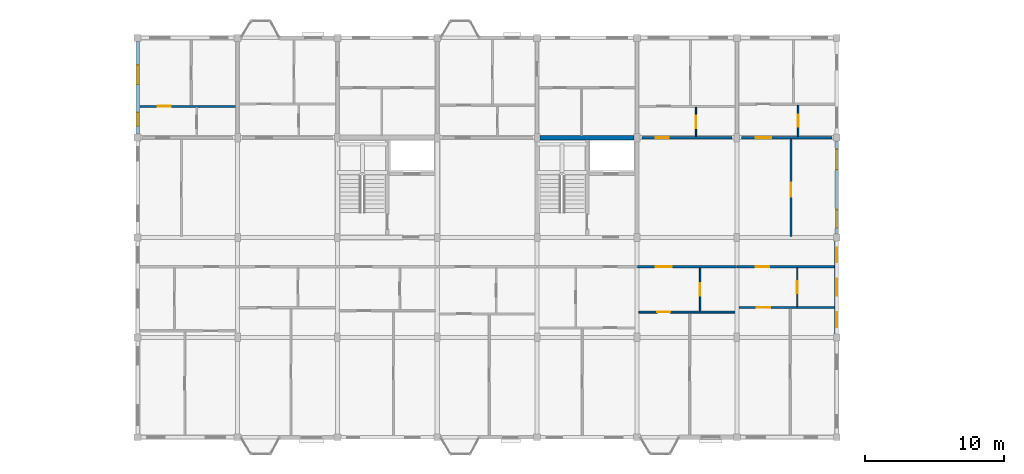
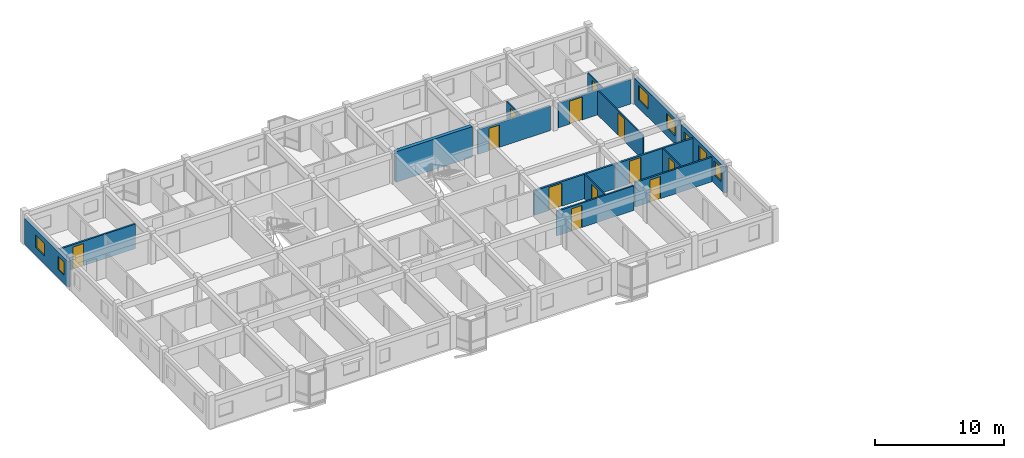
# One storey, part 58 of 65: 16 walls, 12 doors, 7 windows, 19 openings.
"""IFC4 building model written with IfcOpenShell, lengths in metres."""

from ifc_helpers import new_model, si_unit, direction, frame, frame_2d, origin, place, context, subcontext, project, spatial, rectangle, extrude, material, layer, layer_set, type_object, element, fill, save


model = new_model("IFC4")

# Units and contexts
model_context = context("Model", 3, precision=1e-05, world=origin(), true_north=direction((0.0, 1.0)))
body_context = subcontext(model_context, "Body", "Model", "MODEL_VIEW")
ifc_project = project(units=[si_unit("LENGTHUNIT", "METRE"), si_unit("AREAUNIT", "SQUARE_METRE"), si_unit("VOLUMEUNIT", "CUBIC_METRE"), si_unit("PLANEANGLEUNIT", "RADIAN"), si_unit("MASSUNIT", "GRAM", prefix="KILO"), si_unit("THERMODYNAMICTEMPERATUREUNIT", "KELVIN"), si_unit("POWERUNIT", "WATT")], contexts=[model_context])

# Site, building, storey
site_placement = place(None, origin())
site = spatial("IfcSite", under=ifc_project, at=site_placement, CompositionType="ELEMENT")
building_placement = place(site_placement, origin())
building = spatial("IfcBuilding", under=site, at=building_placement, Name="Tavuni Mirador Residences", CompositionType="ELEMENT")
storey_placement = place(building_placement, frame((0.0, 0.0, 29.699951171875)))
storey = spatial("IfcBuildingStorey", under=building, at=storey_placement, Name="L09", CompositionType="ELEMENT", Elevation=29.699951171875)

# Wall
ifc_material_1 = material(Name="Precast concrete C40/50", Category="concrete")
ifc_layer_1 = layer(ifc_material_1, 0.320068359375, Name="Precast concrete C40/50", Category="concrete")
ifc_layer_set_1 = layer_set([ifc_layer_1], Name="Precast concrete C40/50")
wall_type_1 = type_object("IfcWallType", Name="WT-COR320", PredefinedType="SHEAR", material=ifc_layer_set_1)
wall_1_placement = place(storey_placement, frame((39.800048828125, 165.60009765625, 0.0), z_axis=(0.0, 0.0, 1.0), x_axis=(1.0, 0.0, 0.0)))
element("IfcWall", 1, at=wall_1_placement, inside=storey, type_object=wall_type_1, Name="CWALL-C6-L09-N", PredefinedType="SHEAR", context=body_context, shape_type="SweptSolid", body=[
    extrude(rectangle(XDim=6.800048828125, YDim=0.320068359375, at=frame_2d((3.39990234375, 0.0))), origin(), (0.0, 0.0, 1.0), 2.885009765625),
])

# Wall, opening, door
ifc_layer_2 = layer(ifc_material_1, 0.1650390625, Name="Precast concrete C40/50", Category="concrete")
ifc_layer_set_2 = layer_set([ifc_layer_2], Name="Precast concrete C40/50")
wall_type_2 = type_object("IfcWallType", Name="WT-CORR165", PredefinedType="PARTITIONING", material=ifc_layer_set_2)
wall_2_placement = place(storey_placement, frame((46.820068359375, 156.300048828125, 0.0), z_axis=(0.0, 0.0, 1.0), x_axis=(1.0, 0.0, 0.0)))
wall_2 = element("IfcWall", 2, at=wall_2_placement, inside=storey, type_object=wall_type_2, Name="CORW-BLK-C-L09-0-05", PredefinedType="PARTITIONING", context=body_context, shape_type="SweptSolid", body=[
    extrude(rectangle(XDim=7.159912109375, YDim=0.1650390625, at=frame_2d((3.580078125, 0.0))), origin(), (0.0, 0.0, 1.0), 2.320068359375),
])
opening_1_placement = place(wall_2_placement, frame((1.330078125, 0.0, 0.0)))
opening_1 = element("IfcOpeningElement", 3, at=opening_1_placement, cuts=wall_2, Name="Opening D-20", PredefinedType="OPENING", context=body_context, shape_type="SweptSolid", body=[
    extrude(rectangle(XDim=1.139892578125, YDim=2.179931640625, at=frame_2d((0.56982421875, 1.08984375))), frame((0.0, 0.092529296875, 0.0), z_axis=(0.0, -1.0, 0.0), x_axis=(1.0, 0.0, 0.0)), (0.0, 0.0, 1.0), 0.18505859375),
])
ifc_material_2 = material(Name="Solid core iroko timber", Category="wood")
door_type_1 = type_object("IfcDoorType", Name="DT-FD60-1140", OperationType="NOTDEFINED", PredefinedType="DOOR", material=ifc_material_2)
door_1_placement = place(opening_1_placement, origin())
door_1 = element("IfcDoor", 4, at=door_1_placement, inside=storey, type_object=door_type_1, Name="DR-2756", OperationType="SINGLE_SWING_LEFT", OverallHeight=2.179931640625, OverallWidth=1.139892578125, PredefinedType="DOOR", context=body_context, shape_type="SweptSolid", body=[
    extrude(rectangle(XDim=1.139892578125, YDim=2.179931640625, at=frame_2d((0.56982421875, 1.08984375))), frame((0.0, 0.02490234375, 0.0), z_axis=(0.0, -1.0, 0.0), x_axis=(1.0, 0.0, 0.0)), (0.0, 0.0, 1.0), 0.050048828125),
])
fill(opening_1, door_1)

wall_3_placement = place(storey_placement, frame((54.02001953125, 156.300048828125, 0.0), z_axis=(0.0, 0.0, 1.0), x_axis=(1.0, 0.0, 0.0)))
wall_3 = element("IfcWall", 5, at=wall_3_placement, inside=storey, type_object=wall_type_2, Name="CORW-BLK-C-L09-0-06", PredefinedType="PARTITIONING", context=body_context, shape_type="SweptSolid", body=[
    extrude(rectangle(XDim=7.0048828125, YDim=0.1650390625, at=frame_2d((3.50244140625, 0.0))), origin(), (0.0, 0.0, 1.0), 2.320068359375),
])
opening_2_placement = place(wall_3_placement, frame((1.330078125, 0.0, 0.0)))
opening_2 = element("IfcOpeningElement", 6, at=opening_2_placement, cuts=wall_3, Name="Opening D-03", PredefinedType="OPENING", context=body_context, shape_type="SweptSolid", body=[
    extrude(rectangle(XDim=1.0, YDim=2.14990234375, at=frame_2d((0.5, 1.074951171875))), frame((0.0, 0.092529296875, 0.0), z_axis=(0.0, -1.0, 0.0), x_axis=(1.0, 0.0, 0.0)), (0.0, 0.0, 1.0), 0.18505859375),
])
door_type_2 = type_object("IfcDoorType", Name="DT-FD60-1000", OperationType="NOTDEFINED", PredefinedType="DOOR", material=ifc_material_2)
door_2_placement = place(opening_2_placement, origin())
door_2 = element("IfcDoor", 7, at=door_2_placement, inside=storey, type_object=door_type_2, Name="DR-2757", OperationType="SINGLE_SWING_RIGHT", OverallHeight=2.14990234375, OverallWidth=1.0, PredefinedType="DOOR", context=body_context, shape_type="SweptSolid", body=[
    extrude(rectangle(XDim=1.0, YDim=2.14990234375, at=frame_2d((0.5, 1.074951171875))), frame((0.0, 0.02490234375, 0.0), z_axis=(0.0, -1.0, 0.0), x_axis=(1.0, 0.0, 0.0)), (0.0, 0.0, 1.0), 0.050048828125),
])
fill(opening_2, door_2)

wall_4_placement = place(storey_placement, frame((47.14990234375, 165.60009765625, 0.0), z_axis=(0.0, 0.0, 1.0), x_axis=(1.0, 0.0, 0.0)))
wall_4 = element("IfcWall", 8, at=wall_4_placement, inside=storey, type_object=wall_type_2, Name="CORW-BLK-C-L09-1-05", PredefinedType="PARTITIONING", context=body_context, shape_type="SweptSolid", body=[
    extrude(rectangle(XDim=6.5, YDim=0.1650390625, at=frame_2d((3.25, 0.0))), origin(), (0.0, 0.0, 1.0), 2.320068359375),
])
opening_3_placement = place(wall_4_placement, frame((1.0, 0.0, 0.0)))
opening_3 = element("IfcOpeningElement", 9, at=opening_3_placement, cuts=wall_4, Name="Opening D-19", PredefinedType="OPENING", context=body_context, shape_type="SweptSolid", body=[
    extrude(rectangle(XDim=0.93994140625, YDim=2.1201171875, at=frame_2d((0.469970703125, 1.06005859375))), frame((0.0, 0.092529296875, 0.0), z_axis=(0.0, -1.0, 0.0), x_axis=(1.0, 0.0, 0.0)), (0.0, 0.0, 1.0), 0.18505859375),
])
door_type_3 = type_object("IfcDoorType", Name="DT-FD60-940", OperationType="NOTDEFINED", PredefinedType="DOOR", material=ifc_material_2)
door_3_placement = place(opening_3_placement, origin())
door_3 = element("IfcDoor", 10, at=door_3_placement, inside=storey, type_object=door_type_3, Name="DR-2761", OperationType="SINGLE_SWING_RIGHT", OverallHeight=2.1201171875, OverallWidth=0.93994140625, PredefinedType="DOOR", context=body_context, shape_type="SweptSolid", body=[
    extrude(rectangle(XDim=0.93994140625, YDim=2.1201171875, at=frame_2d((0.469970703125, 1.06005859375))), frame((0.0, 0.02490234375, 0.0), z_axis=(0.0, -1.0, 0.0), x_axis=(1.0, 0.0, 0.0)), (0.0, 0.0, 1.0), 0.050048828125),
])
fill(opening_3, door_3)

wall_5_placement = place(storey_placement, frame((54.35009765625, 165.60009765625, 0.0), z_axis=(0.0, 0.0, 1.0), x_axis=(1.0, 0.0, 0.0)))
wall_5 = element("IfcWall", 11, at=wall_5_placement, inside=storey, type_object=wall_type_2, Name="CORW-BLK-C-L09-1-06", PredefinedType="PARTITIONING", context=body_context, shape_type="SweptSolid", body=[
    extrude(rectangle(XDim=6.5, YDim=0.1650390625, at=frame_2d((3.25, 0.0))), origin(), (0.0, 0.0, 1.0), 2.320068359375),
])
opening_4_placement = place(wall_5_placement, frame((1.0, 0.0, 0.0)))
opening_4 = element("IfcOpeningElement", 12, at=opening_4_placement, cuts=wall_5, Name="Opening D-20", PredefinedType="OPENING", context=body_context, shape_type="SweptSolid", body=[
    extrude(rectangle(XDim=1.139892578125, YDim=2.179931640625, at=frame_2d((0.56982421875, 1.08984375))), frame((0.0, 0.092529296875, 0.0), z_axis=(0.0, -1.0, 0.0), x_axis=(1.0, 0.0, 0.0)), (0.0, 0.0, 1.0), 0.18505859375),
])
door_4_placement = place(opening_4_placement, origin())
door_4 = element("IfcDoor", 13, at=door_4_placement, inside=storey, type_object=door_type_1, Name="DR-2762", OperationType="SINGLE_SWING_LEFT", OverallHeight=2.179931640625, OverallWidth=1.139892578125, PredefinedType="DOOR", context=body_context, shape_type="SweptSolid", body=[
    extrude(rectangle(XDim=1.139892578125, YDim=2.179931640625, at=frame_2d((0.56982421875, 1.08984375))), frame((0.0, 0.02490234375, 0.0), z_axis=(0.0, -1.0, 0.0), x_axis=(1.0, 0.0, 0.0)), (0.0, 0.0, 1.0), 0.050048828125),
])
fill(opening_4, door_4)

# Wall, openings, windows
ifc_material_3 = material(Name="Sgraffito lime-rendered precast concrete C40/50", Category="concrete")
ifc_layer_3 = layer(ifc_material_3, 0.2548828125, Name="Sgraffito lime-rendered precast concrete C40/50", Category="concrete")
ifc_layer_set_3 = layer_set([ifc_layer_3], Name="Sgraffito lime-rendered precast concrete C40/50")
wall_type_3 = type_object("IfcWallType", Name="WT-EXT-PC255", PredefinedType="SOLIDWALL", material=ifc_layer_set_3)
wall_6_placement = place(storey_placement, frame((10.800048828125, 172.550048828125, 0.0), z_axis=(0.0, 0.0, 1.0), x_axis=(0.0, -1.0, 0.0)))
wall_6 = element("IfcWall", 14, at=wall_6_placement, inside=storey, type_object=wall_type_3, Name="EW-BLK-C-L09-W03", PredefinedType="SOLIDWALL", context=body_context, shape_type="SweptSolid", body=[
    extrude(rectangle(XDim=6.699951171875, YDim=0.2548828125, at=frame_2d((3.35009765625, 0.0))), origin(), (0.0, 0.0, 1.0), 2.455078125),
])
opening_5_placement = place(wall_6_placement, frame((1.715087890625, 0.0, 0.780029296875)))
opening_5 = element("IfcOpeningElement", 15, at=opening_5_placement, cuts=wall_6, Name="Opening WN-08", PredefinedType="OPENING", context=body_context, shape_type="SweptSolid", body=[
    extrude(rectangle(XDim=1.39990234375, YDim=1.14990234375, at=frame_2d((0.699951171875, 0.574951171875))), frame((0.0, 0.137451171875, 0.0), z_axis=(0.0, -1.0, 0.0), x_axis=(1.0, 0.0, 0.0)), (0.0, 0.0, 1.0), 0.27490234375),
])
opening_6_placement = place(wall_6_placement, frame((5.14501953125, 0.0, 0.780029296875)))
opening_6 = element("IfcOpeningElement", 16, at=opening_6_placement, cuts=wall_6, Name="Opening WN-10", PredefinedType="OPENING", context=body_context, shape_type="SweptSolid", body=[
    extrude(rectangle(XDim=0.9599609375, YDim=1.260009765625, at=frame_2d((0.47998046875, 0.6298828125))), frame((0.0, 0.137451171875, 0.0), z_axis=(0.0, -1.0, 0.0), x_axis=(1.0, 0.0, 0.0)), (0.0, 0.0, 1.0), 0.27490234375),
])
ifc_material_4 = material(Name="Laminated solar-control glass", Category="glass")
window_type_1 = type_object("IfcWindowType", Name="WNT-08", PartitioningType="SINGLE_PANEL", PredefinedType="WINDOW", material=ifc_material_4)
window_1_placement = place(opening_5_placement, origin())
window_1 = element("IfcWindow", 17, at=window_1_placement, inside=storey, type_object=window_type_1, Name="WIN-1258", OverallHeight=1.14990234375, OverallWidth=1.39990234375, PartitioningType="SINGLE_PANEL", PredefinedType="WINDOW", context=body_context, shape_type="SweptSolid", body=[
    extrude(rectangle(XDim=1.39990234375, YDim=1.14990234375, at=frame_2d((0.699951171875, 0.574951171875))), frame((0.0, 0.030029296875, 0.0), z_axis=(0.0, -1.0, 0.0), x_axis=(1.0, 0.0, 0.0)), (0.0, 0.0, 1.0), 0.06005859375),
])
fill(opening_5, window_1)
window_type_2 = type_object("IfcWindowType", Name="WNT-10", PartitioningType="SINGLE_PANEL", PredefinedType="WINDOW", material=ifc_material_4)
window_2_placement = place(opening_6_placement, origin())
window_2 = element("IfcWindow", 18, at=window_2_placement, inside=storey, type_object=window_type_2, Name="WIN-1259", OverallHeight=1.260009765625, OverallWidth=0.9599609375, PartitioningType="SINGLE_PANEL", PredefinedType="WINDOW", context=body_context, shape_type="SweptSolid", body=[
    extrude(rectangle(XDim=0.9599609375, YDim=1.260009765625, at=frame_2d((0.47998046875, 0.6298828125))), frame((0.0, 0.030029296875, 0.0), z_axis=(0.0, -1.0, 0.0), x_axis=(1.0, 0.0, 0.0)), (0.0, 0.0, 1.0), 0.06005859375),
])
fill(opening_6, window_2)

ifc_layer_4 = layer(ifc_material_3, 0.27490234375, Name="Sgraffito lime-rendered precast concrete C40/50", Category="concrete")
ifc_layer_set_4 = layer_set([ifc_layer_4], Name="Sgraffito lime-rendered precast concrete C40/50")
wall_type_4 = type_object("IfcWallType", Name="WT-EXT-PC275", PredefinedType="SOLIDWALL", material=ifc_layer_set_4)
wall_7_placement = place(storey_placement, frame((61.199951171875, 158.64990234375, 0.0), z_axis=(0.0, 0.0, 1.0), x_axis=(0.0, 1.0, 0.0)))
wall_7 = element("IfcWall", 19, at=wall_7_placement, inside=storey, type_object=wall_type_4, Name="EW-BLK-C-L09-E02", PredefinedType="SOLIDWALL", context=body_context, shape_type="SweptSolid", body=[
    extrude(rectangle(XDim=6.7001953125, YDim=0.27490234375, at=frame_2d((3.35009765625, 0.0))), origin(), (0.0, 0.0, 1.0), 2.455078125),
])
opening_7_placement = place(wall_7_placement, frame((0.449951171875, 0.0, 0.780029296875)))
opening_7 = element("IfcOpeningElement", 20, at=opening_7_placement, cuts=wall_7, Name="Opening WN-22", PredefinedType="OPENING", context=body_context, shape_type="SweptSolid", body=[
    extrude(rectangle(XDim=1.300048828125, YDim=1.360107421875, at=frame_2d((0.64990234375, 0.68017578125))), frame((0.0, 0.1474609375, 0.0), z_axis=(0.0, -1.0, 0.0), x_axis=(1.0, 0.0, 0.0)), (0.0, 0.0, 1.0), 0.294921875),
])
opening_8_placement = place(wall_7_placement, frame((4.64990234375, 0.0, 0.780029296875)))
opening_8 = element("IfcOpeningElement", 21, at=opening_8_placement, cuts=wall_7, Name="Opening WN-24", PredefinedType="OPENING", context=body_context, shape_type="SweptSolid", body=[
    extrude(rectangle(XDim=1.4599609375, YDim=1.360107421875, at=frame_2d((0.72998046875, 0.68017578125))), frame((0.0, 0.1474609375, 0.0), z_axis=(0.0, -1.0, 0.0), x_axis=(1.0, 0.0, 0.0)), (0.0, 0.0, 1.0), 0.294921875),
])
window_type_3 = type_object("IfcWindowType", Name="WNT-22", PartitioningType="SINGLE_PANEL", PredefinedType="WINDOW", material=ifc_material_4)
window_3_placement = place(opening_7_placement, origin())
window_3 = element("IfcWindow", 22, at=window_3_placement, inside=storey, type_object=window_type_3, Name="WIN-1242", OverallHeight=1.360107421875, OverallWidth=1.300048828125, PartitioningType="SINGLE_PANEL", PredefinedType="WINDOW", context=body_context, shape_type="SweptSolid", body=[
    extrude(rectangle(XDim=1.300048828125, YDim=1.360107421875, at=frame_2d((0.64990234375, 0.68017578125))), frame((0.0, 0.030029296875, 0.0), z_axis=(0.0, -1.0, 0.0), x_axis=(1.0, 0.0, 0.0)), (0.0, 0.0, 1.0), 0.06005859375),
])
fill(opening_7, window_3)
window_type_4 = type_object("IfcWindowType", Name="WNT-24", PartitioningType="SINGLE_PANEL", PredefinedType="WINDOW", material=ifc_material_4)
window_4_placement = place(opening_8_placement, origin())
window_4 = element("IfcWindow", 23, at=window_4_placement, inside=storey, type_object=window_type_4, Name="WIN-1243", OverallHeight=1.360107421875, OverallWidth=1.4599609375, PartitioningType="SINGLE_PANEL", PredefinedType="WINDOW", context=body_context, shape_type="SweptSolid", body=[
    extrude(rectangle(XDim=1.4599609375, YDim=1.360107421875, at=frame_2d((0.72998046875, 0.68017578125))), frame((0.0, 0.030029296875, 0.0), z_axis=(0.0, -1.0, 0.0), x_axis=(1.0, 0.0, 0.0)), (0.0, 0.0, 1.0), 0.06005859375),
])
fill(opening_8, window_4)

ifc_layer_5 = layer(ifc_material_3, 0.2900390625, Name="Sgraffito lime-rendered precast concrete C40/50", Category="concrete")
ifc_layer_set_5 = layer_set([ifc_layer_5], Name="Sgraffito lime-rendered precast concrete C40/50")
wall_type_5 = type_object("IfcWallType", Name="WT-EXT-PC290", PredefinedType="SOLIDWALL", material=ifc_layer_set_5)
wall_8_placement = place(storey_placement, frame((61.199951171875, 151.449951171875, 0.0), z_axis=(0.0, 0.0, 1.0), x_axis=(0.0, 1.0, 0.0)))
wall_8 = element("IfcWall", 24, at=wall_8_placement, inside=storey, type_object=wall_type_5, Name="EW-BLK-C-L09-E01", PredefinedType="SOLIDWALL", context=body_context, shape_type="SweptSolid", body=[
    extrude(rectangle(XDim=6.699951171875, YDim=0.2900390625, at=frame_2d((3.35009765625, 0.0))), origin(), (0.0, 0.0, 1.0), 2.455078125),
])
opening_9_placement = place(wall_8_placement, frame((0.489990234375, 0.0, 0.780029296875)))
opening_9 = element("IfcOpeningElement", 25, at=opening_9_placement, cuts=wall_8, Name="Opening WN-19", PredefinedType="OPENING", context=body_context, shape_type="SweptSolid", body=[
    extrude(rectangle(XDim=1.06005859375, YDim=1.360107421875, at=frame_2d((0.530029296875, 0.68017578125))), frame((0.0, 0.155029296875, 0.0), z_axis=(0.0, -1.0, 0.0), x_axis=(1.0, 0.0, 0.0)), (0.0, 0.0, 1.0), 0.31005859375),
])
opening_10_placement = place(wall_8_placement, frame((2.764892578125, 0.0, 0.780029296875)))
opening_10 = element("IfcOpeningElement", 26, at=opening_10_placement, cuts=wall_8, Name="Opening WN-21", PredefinedType="OPENING", context=body_context, shape_type="SweptSolid", body=[
    extrude(rectangle(XDim=1.219970703125, YDim=1.360107421875, at=frame_2d((0.60986328125, 0.68017578125))), frame((0.0, 0.155029296875, 0.0), z_axis=(0.0, -1.0, 0.0), x_axis=(1.0, 0.0, 0.0)), (0.0, 0.0, 1.0), 0.31005859375),
])
opening_11_placement = place(wall_8_placement, frame((5.18505859375, 0.0, 0.780029296875)))
opening_11 = element("IfcOpeningElement", 27, at=opening_11_placement, cuts=wall_8, Name="Opening WN-11", PredefinedType="OPENING", context=body_context, shape_type="SweptSolid", body=[
    extrude(rectangle(XDim=1.0400390625, YDim=1.260009765625, at=frame_2d((0.52001953125, 0.6298828125))), frame((0.0, 0.155029296875, 0.0), z_axis=(0.0, -1.0, 0.0), x_axis=(1.0, 0.0, 0.0)), (0.0, 0.0, 1.0), 0.31005859375),
])
window_type_5 = type_object("IfcWindowType", Name="WNT-11", PartitioningType="SINGLE_PANEL", PredefinedType="WINDOW", material=ifc_material_4)
window_5_placement = place(opening_11_placement, origin())
window_5 = element("IfcWindow", 28, at=window_5_placement, inside=storey, type_object=window_type_5, Name="WIN-1241", OverallHeight=1.260009765625, OverallWidth=1.0400390625, PartitioningType="SINGLE_PANEL", PredefinedType="WINDOW", context=body_context, shape_type="SweptSolid", body=[
    extrude(rectangle(XDim=1.0400390625, YDim=1.260009765625, at=frame_2d((0.52001953125, 0.6298828125))), frame((0.0, 0.030029296875, 0.0), z_axis=(0.0, -1.0, 0.0), x_axis=(1.0, 0.0, 0.0)), (0.0, 0.0, 1.0), 0.06005859375),
])
fill(opening_11, window_5)
window_type_6 = type_object("IfcWindowType", Name="WNT-19", PartitioningType="SINGLE_PANEL", PredefinedType="WINDOW", material=ifc_material_4)
window_6_placement = place(opening_9_placement, origin())
window_6 = element("IfcWindow", 29, at=window_6_placement, inside=storey, type_object=window_type_6, Name="WIN-1239", OverallHeight=1.360107421875, OverallWidth=1.06005859375, PartitioningType="SINGLE_PANEL", PredefinedType="WINDOW", context=body_context, shape_type="SweptSolid", body=[
    extrude(rectangle(XDim=1.06005859375, YDim=1.360107421875, at=frame_2d((0.530029296875, 0.68017578125))), frame((0.0, 0.030029296875, 0.0), z_axis=(0.0, -1.0, 0.0), x_axis=(1.0, 0.0, 0.0)), (0.0, 0.0, 1.0), 0.06005859375),
])
fill(opening_9, window_6)
window_type_7 = type_object("IfcWindowType", Name="WNT-21", PartitioningType="SINGLE_PANEL", PredefinedType="WINDOW", material=ifc_material_4)
window_7_placement = place(opening_10_placement, origin())
window_7 = element("IfcWindow", 30, at=window_7_placement, inside=storey, type_object=window_type_7, Name="WIN-1240", OverallHeight=1.360107421875, OverallWidth=1.219970703125, PartitioningType="SINGLE_PANEL", PredefinedType="WINDOW", context=body_context, shape_type="SweptSolid", body=[
    extrude(rectangle(XDim=1.219970703125, YDim=1.360107421875, at=frame_2d((0.60986328125, 0.68017578125))), frame((0.0, 0.030029296875, 0.0), z_axis=(0.0, -1.0, 0.0), x_axis=(1.0, 0.0, 0.0)), (0.0, 0.0, 1.0), 0.06005859375),
])
fill(opening_10, window_7)

# Wall, opening, door
ifc_material_5 = material(Name="Acoustic gypsum and concrete block partition", Category="concrete")
ifc_layer_6 = layer(ifc_material_5, 0.094970703125, Name="Acoustic gypsum and concrete block partition", Category="concrete")
ifc_layer_set_6 = layer_set([ifc_layer_6], Name="Acoustic gypsum and concrete block partition")
wall_type_6 = type_object("IfcWallType", Name="WT-PART095", PredefinedType="PARTITIONING", material=ifc_layer_set_6)
wall_9_placement = place(storey_placement, frame((51.06005859375, 165.68994140625, 0.0), z_axis=(0.0, 0.0, 1.0), x_axis=(0.0, 1.0, 0.0)))
wall_9 = element("IfcWall", 31, at=wall_9_placement, inside=storey, type_object=wall_type_6, Name="PW-BLK-C-L09-N05-IN1", PredefinedType="PARTITIONING", context=body_context, shape_type="SweptSolid", body=[
    extrude(rectangle(XDim=2.10009765625, YDim=0.094970703125, at=frame_2d((1.050048828125, 0.0))), origin(), (0.0, 0.0, 1.0), 2.320068359375),
])
opening_12_placement = place(wall_9_placement, frame((0.60009765625, 0.0, 0.0)))
opening_12 = element("IfcOpeningElement", 32, at=opening_12_placement, cuts=wall_9, Name="Opening D-09", PredefinedType="OPENING", context=body_context, shape_type="SweptSolid", body=[
    extrude(rectangle(XDim=0.89990234375, YDim=2.050048828125, at=frame_2d((0.449951171875, 1.02490234375))), frame((0.0, 0.0576171875, 0.0), z_axis=(0.0, -1.0, 0.0), x_axis=(1.0, 0.0, 0.0)), (0.0, 0.0, 1.0), 0.114990234375),
])
door_type_4 = type_object("IfcDoorType", Name="DT-WC900", OperationType="NOTDEFINED", PredefinedType="DOOR", material=ifc_material_2)
door_5_placement = place(opening_12_placement, origin())
door_5 = element("IfcDoor", 33, at=door_5_placement, inside=storey, type_object=door_type_4, Name="DR-4146", OperationType="SINGLE_SWING_LEFT", OverallHeight=2.050048828125, OverallWidth=0.89990234375, PredefinedType="DOOR", context=body_context, shape_type="SweptSolid", body=[
    extrude(rectangle(XDim=0.89990234375, YDim=2.050048828125, at=frame_2d((0.449951171875, 1.02490234375))), frame((0.0, 0.02490234375, 0.0), z_axis=(0.0, -1.0, 0.0), x_axis=(1.0, 0.0, 0.0)), (0.0, 0.0, 1.0), 0.050048828125),
])
fill(opening_12, door_5)

wall_10_placement = place(storey_placement, frame((58.35009765625, 153.419921875, 0.0), z_axis=(0.0, 0.0, 1.0), x_axis=(0.0, 1.0, 0.0)))
wall_10 = element("IfcWall", 34, at=wall_10_placement, inside=storey, type_object=wall_type_6, Name="PW-BLK-C-L09-S06-IN1", PredefinedType="PARTITIONING", context=body_context, shape_type="SweptSolid", body=[
    extrude(rectangle(XDim=2.7900390625, YDim=0.094970703125, at=frame_2d((1.39501953125, 0.0))), origin(), (0.0, 0.0, 1.0), 2.320068359375),
])
opening_13_placement = place(wall_10_placement, frame((0.945068359375, 0.0, 0.0)))
opening_13 = element("IfcOpeningElement", 35, at=opening_13_placement, cuts=wall_10, Name="Opening D-09", PredefinedType="OPENING", context=body_context, shape_type="SweptSolid", body=[
    extrude(rectangle(XDim=0.89990234375, YDim=2.050048828125, at=frame_2d((0.449951171875, 1.02490234375))), frame((0.0, 0.0576171875, 0.0), z_axis=(0.0, -1.0, 0.0), x_axis=(1.0, 0.0, 0.0)), (0.0, 0.0, 1.0), 0.114990234375),
])
door_6_placement = place(opening_13_placement, origin())
door_6 = element("IfcDoor", 36, at=door_6_placement, inside=storey, type_object=door_type_4, Name="DR-4150", OperationType="SINGLE_SWING_LEFT", OverallHeight=2.050048828125, OverallWidth=0.89990234375, PredefinedType="DOOR", context=body_context, shape_type="SweptSolid", body=[
    extrude(rectangle(XDim=0.89990234375, YDim=2.050048828125, at=frame_2d((0.449951171875, 1.02490234375))), frame((0.0, 0.02490234375, 0.0), z_axis=(0.0, -1.0, 0.0), x_axis=(1.0, 0.0, 0.0)), (0.0, 0.0, 1.0), 0.050048828125),
])
fill(opening_13, door_6)

ifc_layer_7 = layer(ifc_material_5, 0.10498046875, Name="Acoustic gypsum and concrete block partition", Category="concrete")
ifc_layer_set_7 = layer_set([ifc_layer_7], Name="Acoustic gypsum and concrete block partition")
wall_type_7 = type_object("IfcWallType", Name="WT-PART105", PredefinedType="PARTITIONING", material=ifc_layer_set_7)
wall_11_placement = place(storey_placement, frame((51.35009765625, 153.090087890625, 0.0), z_axis=(0.0, 0.0, 1.0), x_axis=(0.0, 1.0, 0.0)))
wall_11 = element("IfcWall", 37, at=wall_11_placement, inside=storey, type_object=wall_type_7, Name="PW-BLK-C-L09-S05-IN1", PredefinedType="PARTITIONING", context=body_context, shape_type="SweptSolid", body=[
    extrude(rectangle(XDim=3.119873046875, YDim=0.10498046875, at=frame_2d((1.56005859375, 0.0))), origin(), (0.0, 0.0, 1.0), 2.320068359375),
])
opening_14_placement = place(wall_11_placement, frame((1.110107421875, 0.0, 0.0)))
opening_14 = element("IfcOpeningElement", 38, at=opening_14_placement, cuts=wall_11, Name="Opening D-09", PredefinedType="OPENING", context=body_context, shape_type="SweptSolid", body=[
    extrude(rectangle(XDim=0.89990234375, YDim=2.050048828125, at=frame_2d((0.449951171875, 1.02490234375))), frame((0.0, 0.0625, 0.0), z_axis=(0.0, -1.0, 0.0), x_axis=(1.0, 0.0, 0.0)), (0.0, 0.0, 1.0), 0.125),
])
door_7_placement = place(opening_14_placement, origin())
door_7 = element("IfcDoor", 39, at=door_7_placement, inside=storey, type_object=door_type_4, Name="DR-4143", OperationType="SINGLE_SWING_LEFT", OverallHeight=2.050048828125, OverallWidth=0.89990234375, PredefinedType="DOOR", context=body_context, shape_type="SweptSolid", body=[
    extrude(rectangle(XDim=0.89990234375, YDim=2.050048828125, at=frame_2d((0.449951171875, 1.02490234375))), frame((0.0, 0.02490234375, 0.0), z_axis=(0.0, -1.0, 0.0), x_axis=(1.0, 0.0, 0.0)), (0.0, 0.0, 1.0), 0.050048828125),
])
fill(opening_14, door_7)

wall_12_placement = place(storey_placement, frame((58.419921875, 165.68994140625, 0.0), z_axis=(0.0, 0.0, 1.0), x_axis=(0.0, 1.0, 0.0)))
wall_12 = element("IfcWall", 40, at=wall_12_placement, inside=storey, type_object=wall_type_7, Name="PW-BLK-C-L09-N06-IN1", PredefinedType="PARTITIONING", context=body_context, shape_type="SweptSolid", body=[
    extrude(rectangle(XDim=2.260009765625, YDim=0.10498046875, at=frame_2d((1.1298828125, 0.0))), origin(), (0.0, 0.0, 1.0), 2.320068359375),
])
opening_15_placement = place(wall_12_placement, frame((0.695068359375, 0.0, 0.0)))
opening_15 = element("IfcOpeningElement", 41, at=opening_15_placement, cuts=wall_12, Name="Opening D-10", PredefinedType="OPENING", context=body_context, shape_type="SweptSolid", body=[
    extrude(rectangle(XDim=0.8701171875, YDim=2.050048828125, at=frame_2d((0.43505859375, 1.02490234375))), frame((0.0, 0.0625, 0.0), z_axis=(0.0, -1.0, 0.0), x_axis=(1.0, 0.0, 0.0)), (0.0, 0.0, 1.0), 0.125),
])
door_type_5 = type_object("IfcDoorType", Name="DT-WC870", OperationType="NOTDEFINED", PredefinedType="DOOR", material=ifc_material_2)
door_8_placement = place(opening_15_placement, origin())
door_8 = element("IfcDoor", 42, at=door_8_placement, inside=storey, type_object=door_type_5, Name="DR-4153", OperationType="SINGLE_SWING_RIGHT", OverallHeight=2.050048828125, OverallWidth=0.8701171875, PredefinedType="DOOR", context=body_context, shape_type="SweptSolid", body=[
    extrude(rectangle(XDim=0.8701171875, YDim=2.050048828125, at=frame_2d((0.43505859375, 1.02490234375))), frame((0.0, 0.02490234375, 0.0), z_axis=(0.0, -1.0, 0.0), x_axis=(1.0, 0.0, 0.0)), (0.0, 0.0, 1.0), 0.050048828125),
])
fill(opening_15, door_8)

ifc_layer_8 = layer(ifc_material_5, 0.114990234375, Name="Acoustic gypsum and concrete block partition", Category="concrete")
ifc_layer_set_8 = layer_set([ifc_layer_8], Name="Acoustic gypsum and concrete block partition")
wall_type_8 = type_object("IfcWallType", Name="WT-PART115", PredefinedType="PARTITIONING", material=ifc_layer_set_8)
wall_13_placement = place(storey_placement, frame((57.89990234375, 158.489990234375, 0.0), z_axis=(0.0, 0.0, 1.0), x_axis=(0.0, 1.0, 0.0)))
wall_13 = element("IfcWall", 43, at=wall_13_placement, inside=storey, type_object=wall_type_8, Name="PW-SPN-BLK-C-L09-06", PredefinedType="PARTITIONING", context=body_context, shape_type="SweptSolid", body=[
    extrude(rectangle(XDim=7.02001953125, YDim=0.114990234375, at=frame_2d((3.510009765625, 0.0))), origin(), (0.0, 0.0, 1.0), 2.320068359375),
])
opening_16_placement = place(wall_13_placement, frame((2.85009765625, 0.0, 0.0)))
opening_16 = element("IfcOpeningElement", 44, at=opening_16_placement, cuts=wall_13, Name="Opening D-13", PredefinedType="OPENING", context=body_context, shape_type="SweptSolid", body=[
    extrude(rectangle(XDim=1.02001953125, YDim=2.14990234375, at=frame_2d((0.510009765625, 1.074951171875))), frame((0.0, 0.0673828125, 0.0), z_axis=(0.0, -1.0, 0.0), x_axis=(1.0, 0.0, 0.0)), (0.0, 0.0, 1.0), 0.135009765625),
])
door_type_6 = type_object("IfcDoorType", Name="DT-MTG1020", OperationType="NOTDEFINED", PredefinedType="DOOR", material=ifc_material_2)
door_9_placement = place(opening_16_placement, origin())
door_9 = element("IfcDoor", 45, at=door_9_placement, inside=storey, type_object=door_type_6, Name="DR-4148", OperationType="SINGLE_SWING_RIGHT", OverallHeight=2.14990234375, OverallWidth=1.02001953125, PredefinedType="DOOR", context=body_context, shape_type="SweptSolid", body=[
    extrude(rectangle(XDim=1.02001953125, YDim=2.14990234375, at=frame_2d((0.510009765625, 1.074951171875))), frame((0.0, 0.02490234375, 0.0), z_axis=(0.0, -1.0, 0.0), x_axis=(1.0, 0.0, 0.0)), (0.0, 0.0, 1.0), 0.050048828125),
])
fill(opening_16, door_9)

ifc_layer_9 = layer(ifc_material_5, 0.139892578125, Name="Acoustic gypsum and concrete block partition", Category="concrete")
ifc_layer_set_9 = layer_set([ifc_layer_9], Name="Acoustic gypsum and concrete block partition")
wall_type_9 = type_object("IfcWallType", Name="WT-PART140", PredefinedType="PARTITIONING", material=ifc_layer_set_9)
wall_14_placement = place(storey_placement, frame((46.93994140625, 153.02001953125, 0.0), z_axis=(0.0, 0.0, 1.0), x_axis=(1.0, 0.0, 0.0)))
wall_14 = element("IfcWall", 46, at=wall_14_placement, inside=storey, type_object=wall_type_9, Name="PW-BLK-C-L09-S05-MID", PredefinedType="PARTITIONING", context=body_context, shape_type="SweptSolid", body=[
    extrude(rectangle(XDim=6.920166015625, YDim=0.139892578125, at=frame_2d((3.4599609375, 0.0))), origin(), (0.0, 0.0, 1.0), 2.320068359375),
])
opening_17_placement = place(wall_14_placement, frame((1.31005859375, 0.0, 0.0)))
opening_17 = element("IfcOpeningElement", 47, at=opening_17_placement, cuts=wall_14, Name="Opening D-05", PredefinedType="OPENING", context=body_context, shape_type="SweptSolid", body=[
    extrude(rectangle(XDim=0.949951171875, YDim=2.10009765625, at=frame_2d((0.47509765625, 1.050048828125))), frame((0.0, 0.080078125, 0.0), z_axis=(0.0, -1.0, 0.0), x_axis=(1.0, 0.0, 0.0)), (0.0, 0.0, 1.0), 0.159912109375),
])
door_type_7 = type_object("IfcDoorType", Name="DT-INT950", OperationType="NOTDEFINED", PredefinedType="DOOR", material=ifc_material_2)
door_10_placement = place(opening_17_placement, origin())
door_10 = element("IfcDoor", 48, at=door_10_placement, inside=storey, type_object=door_type_7, Name="DR-4144", OperationType="SINGLE_SWING_LEFT", OverallHeight=2.10009765625, OverallWidth=0.949951171875, PredefinedType="DOOR", context=body_context, shape_type="SweptSolid", body=[
    extrude(rectangle(XDim=0.949951171875, YDim=2.10009765625, at=frame_2d((0.47509765625, 1.050048828125))), frame((0.0, 0.02490234375, 0.0), z_axis=(0.0, -1.0, 0.0), x_axis=(1.0, 0.0, 0.0)), (0.0, 0.0, 1.0), 0.050048828125),
])
fill(opening_17, door_10)

ifc_layer_10 = layer(ifc_material_5, 0.14990234375, Name="Acoustic gypsum and concrete block partition", Category="concrete")
ifc_layer_set_10 = layer_set([ifc_layer_10], Name="Acoustic gypsum and concrete block partition")
wall_type_10 = type_object("IfcWallType", Name="WT-PART150", PredefinedType="PARTITIONING", material=ifc_layer_set_10)
wall_15_placement = place(storey_placement, frame((10.97509765625, 167.860107421875, 0.0), z_axis=(0.0, 0.0, 1.0), x_axis=(1.0, 0.0, 0.0)))
wall_15 = element("IfcWall", 49, at=wall_15_placement, inside=storey, type_object=wall_type_10, Name="PW-BLK-C-L09-N00-MID", PredefinedType="PARTITIONING", context=body_context, shape_type="SweptSolid", body=[
    extrude(rectangle(XDim=6.885009765625, YDim=0.14990234375, at=frame_2d((3.4423828125, 0.0))), origin(), (0.0, 0.0, 1.0), 2.320068359375),
])
opening_18_placement = place(wall_15_placement, frame((1.27490234375, 0.0, 0.0)))
opening_18 = element("IfcOpeningElement", 50, at=opening_18_placement, cuts=wall_15, Name="Opening D-05", PredefinedType="OPENING", context=body_context, shape_type="SweptSolid", body=[
    extrude(rectangle(XDim=0.949951171875, YDim=2.10009765625, at=frame_2d((0.47509765625, 1.050048828125))), frame((0.0, 0.0849609375, 0.0), z_axis=(0.0, -1.0, 0.0), x_axis=(1.0, 0.0, 0.0)), (0.0, 0.0, 1.0), 0.169921875),
])
door_11_placement = place(opening_18_placement, origin())
door_11 = element("IfcDoor", 51, at=door_11_placement, inside=storey, type_object=door_type_7, Name="DR-4119", OperationType="SINGLE_SWING_LEFT", OverallHeight=2.10009765625, OverallWidth=0.949951171875, PredefinedType="DOOR", context=body_context, shape_type="SweptSolid", body=[
    extrude(rectangle(XDim=0.949951171875, YDim=2.10009765625, at=frame_2d((0.47509765625, 1.050048828125))), frame((0.0, 0.02490234375, 0.0), z_axis=(0.0, -1.0, 0.0), x_axis=(1.0, 0.0, 0.0)), (0.0, 0.0, 1.0), 0.050048828125),
])
fill(opening_18, door_11)

wall_16_placement = place(storey_placement, frame((54.139892578125, 153.35009765625, 0.0), z_axis=(0.0, 0.0, 1.0), x_axis=(1.0, 0.0, 0.0)))
wall_16 = element("IfcWall", 52, at=wall_16_placement, inside=storey, type_object=wall_type_10, Name="PW-BLK-C-L09-S06-MID", PredefinedType="PARTITIONING", context=body_context, shape_type="SweptSolid", body=[
    extrude(rectangle(XDim=6.885009765625, YDim=0.14990234375, at=frame_2d((3.4423828125, 0.0))), origin(), (0.0, 0.0, 1.0), 2.320068359375),
])
opening_19_placement = place(wall_16_placement, frame((1.31005859375, 0.0, 0.0)))
opening_19 = element("IfcOpeningElement", 53, at=opening_19_placement, cuts=wall_16, Name="Opening D-05", PredefinedType="OPENING", context=body_context, shape_type="SweptSolid", body=[
    extrude(rectangle(XDim=0.949951171875, YDim=2.10009765625, at=frame_2d((0.47509765625, 1.050048828125))), frame((0.0, 0.0849609375, 0.0), z_axis=(0.0, -1.0, 0.0), x_axis=(1.0, 0.0, 0.0)), (0.0, 0.0, 1.0), 0.169921875),
])
door_12_placement = place(opening_19_placement, origin())
door_12 = element("IfcDoor", 54, at=door_12_placement, inside=storey, type_object=door_type_7, Name="DR-4151", OperationType="SINGLE_SWING_LEFT", OverallHeight=2.10009765625, OverallWidth=0.949951171875, PredefinedType="DOOR", context=body_context, shape_type="SweptSolid", body=[
    extrude(rectangle(XDim=0.949951171875, YDim=2.10009765625, at=frame_2d((0.47509765625, 1.050048828125))), frame((0.0, 0.02490234375, 0.0), z_axis=(0.0, -1.0, 0.0), x_axis=(1.0, 0.0, 0.0)), (0.0, 0.0, 1.0), 0.050048828125),
])
fill(opening_19, door_12)

save(model, "model.ifc")
